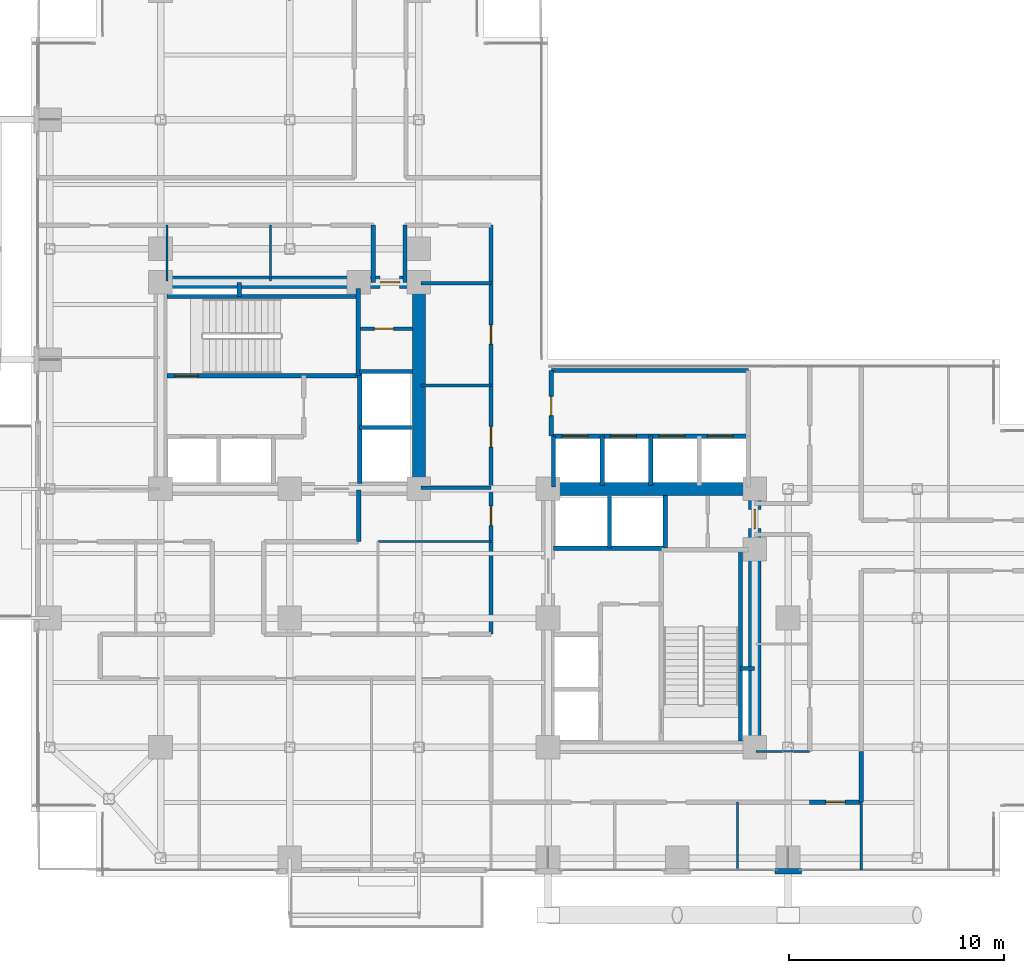
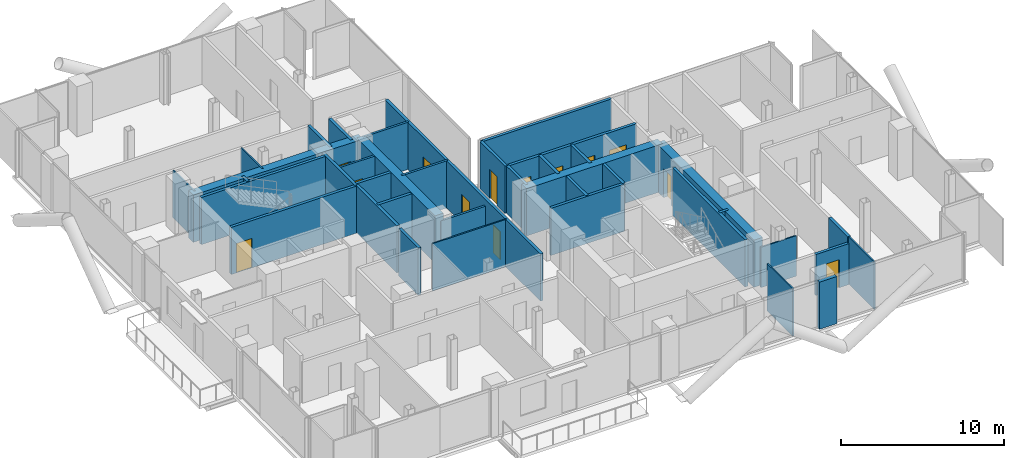
# One storey, part 20 of 24: 39 walls, 13 doors, 13 openings.
"""IFC4 building model written with IfcOpenShell, lengths in metres."""

from ifc_helpers import new_model, si_unit, direction, frame, frame_2d, origin, place, context, subcontext, project, spatial, rectangle, extrude, material, layer, layer_set, type_object, element, fill, save


model = new_model("IFC4")

# Units and contexts
model_context = context("Model", 3, precision=1e-05, world=origin(), true_north=direction((0.0, 1.0)))
body_context = subcontext(model_context, "Body", "Model", "MODEL_VIEW")
ifc_project = project(units=[si_unit("LENGTHUNIT", "METRE"), si_unit("AREAUNIT", "SQUARE_METRE"), si_unit("VOLUMEUNIT", "CUBIC_METRE"), si_unit("PLANEANGLEUNIT", "RADIAN"), si_unit("MASSUNIT", "GRAM", prefix="KILO"), si_unit("THERMODYNAMICTEMPERATUREUNIT", "KELVIN"), si_unit("POWERUNIT", "WATT")], contexts=[model_context])

# Site, building, storey
site_placement = place(None, origin())
site = spatial("IfcSite", under=ifc_project, at=site_placement, CompositionType="ELEMENT")
building_placement = place(site_placement, origin())
building = spatial("IfcBuilding", under=site, at=building_placement, Name="Svarakhadi Broadcast Tower", CompositionType="ELEMENT")
storey_placement = place(building_placement, frame((0.0, 0.0, 145.64990234375)))
storey = spatial("IfcBuildingStorey", under=building, at=storey_placement, Name="L35", CompositionType="ELEMENT", Elevation=145.64990234375)

# Wall
ifc_material_1 = material(Name="Double-Stud Acoustic Studio Partition STC-62", Category="gypsum")
ifc_layer_1 = layer(ifc_material_1, 0.199951171875)
ifc_layer_set_1 = layer_set([ifc_layer_1], Name="Double-Stud Acoustic Studio Partition STC-62")
wall_type_1 = type_object("IfcWallType", Name="Wall_Acoust_200", PredefinedType="PARTITIONING", material=ifc_layer_set_1)
wall_1_placement = place(storey_placement, frame((38.550048828125, 5.800048828125, 0.0), z_axis=(0.0, 0.0, 1.0), x_axis=(0.0, -1.0, 0.0)))
element("IfcWall", 1, at=wall_1_placement, inside=storey, type_object=wall_type_1, Name="L35 Zone 2/3 Corridor Wall", PredefinedType="PARTITIONING", context=body_context, shape_type="SweptSolid", body=[
    extrude(rectangle(XDim=2.35009765625, YDim=0.199951171875, at=frame_2d((1.175048828125, 0.0))), origin(), (0.0, 0.0, 1.0), 3.525146484375),
])

# Wall, opening, door
wall_2_placement = place(storey_placement, frame((38.550048828125, 3.449951171875, 0.0), z_axis=(0.0, 0.0, 1.0), x_axis=(-1.0, 0.0, 0.0)))
wall_2 = element("IfcWall", 2, at=wall_2_placement, inside=storey, type_object=wall_type_1, Name="L35 Zone 2/3 Corridor Wall", PredefinedType="PARTITIONING", context=body_context, shape_type="SweptSolid", body=[
    extrude(rectangle(XDim=2.400146484375, YDim=0.199951171875, at=frame_2d((1.2001953125, 0.0))), origin(), (0.0, 0.0, 1.0), 3.067138671875),
])
opening_1_placement = place(wall_2_placement, frame((0.75, 0.0, 0.0)))
opening_1 = element("IfcOpeningElement", 3, at=opening_1_placement, cuts=wall_2, Name="Opening D-14", PredefinedType="OPENING", context=body_context, shape_type="SweptSolid", body=[
    extrude(rectangle(XDim=0.89990234375, YDim=2.10009765625, at=frame_2d((0.449951171875, 1.050048828125))), frame((0.0, 0.10986328125, 0.0), z_axis=(0.0, -1.0, 0.0), x_axis=(1.0, 0.0, 0.0)), (0.0, 0.0, 1.0), 0.219970703125),
])
ifc_material_2 = material(Name="Solid-Core Teak Veneer Acoustic Timber Leaf", Category="wood")
door_type_1 = type_object("IfcDoorType", Name="Door_Int_D14", OperationType="SINGLE_SWING_LEFT", PredefinedType="DOOR", material=ifc_material_2)
door_1_placement = place(opening_1_placement, origin())
door_1 = element("IfcDoor", 4, at=door_1_placement, inside=storey, type_object=door_type_1, Name="L35 Artisanal Espresso Bar Door", OperationType="SINGLE_SWING_LEFT", OverallHeight=2.10009765625, OverallWidth=0.89990234375, PredefinedType="DOOR", context=body_context, shape_type="SweptSolid", body=[
    extrude(rectangle(XDim=0.89990234375, YDim=2.10009765625, at=frame_2d((0.449951171875, 1.050048828125))), frame((0.0, 0.02490234375, 0.0), z_axis=(0.0, -1.0, 0.0), x_axis=(1.0, 0.0, 0.0)), (0.0, 0.0, 1.0), 0.050048828125),
])
fill(opening_1, door_1)

# Wall
wall_3_placement = place(storey_placement, frame((15.199951171875, 17.949951171875, 0.0), z_axis=(0.0, 0.0, 1.0), x_axis=(0.0, -1.0, 0.0)))
element("IfcWall", 5, at=wall_3_placement, inside=storey, type_object=wall_type_1, Name="L35 Zone 2/3 Corridor Wall", PredefinedType="PARTITIONING", context=body_context, shape_type="SweptSolid", body=[
    extrude(rectangle(XDim=2.39990234375, YDim=0.199951171875, at=frame_2d((1.199951171875, 0.0))), origin(), (0.0, 0.0, 1.0), 3.525146484375),
])

# Wall, openings, doors
wall_4_placement = place(storey_placement, frame((21.35009765625, 11.25, 0.0), z_axis=(0.0, 0.0, 1.0), x_axis=(0.0, 1.0, 0.0)))
wall_4 = element("IfcWall", 6, at=wall_4_placement, inside=storey, type_object=wall_type_1, Name="L35 Zone 2/3 Corridor Wall", PredefinedType="PARTITIONING", context=body_context, shape_type="SweptSolid", body=[
    extrude(rectangle(XDim=19.0, YDim=0.199951171875, at=frame_2d((9.5, 0.0))), origin(), (0.0, 0.0, 1.0), 3.525146484375),
])
opening_2_placement = place(wall_4_placement, frame((8.699951171875, 0.0, 0.0)))
opening_2 = element("IfcOpeningElement", 7, at=opening_2_placement, cuts=wall_4, Name="Opening D-06", PredefinedType="OPENING", context=body_context, shape_type="SweptSolid", body=[
    extrude(rectangle(XDim=0.949951171875, YDim=2.14990234375, at=frame_2d((0.47509765625, 1.074951171875))), frame((0.0, 0.10986328125, 0.0), z_axis=(0.0, -1.0, 0.0), x_axis=(1.0, 0.0, 0.0)), (0.0, 0.0, 1.0), 0.219970703125),
])
opening_3_placement = place(wall_4_placement, frame((13.47509765625, 0.0, 0.0)))
opening_3 = element("IfcOpeningElement", 8, at=opening_3_placement, cuts=wall_4, Name="Opening D-13", PredefinedType="OPENING", context=body_context, shape_type="SweptSolid", body=[
    extrude(rectangle(XDim=0.89990234375, YDim=2.10009765625, at=frame_2d((0.449951171875, 1.050048828125))), frame((0.0, 0.10986328125, 0.0), z_axis=(0.0, -1.0, 0.0), x_axis=(1.0, 0.0, 0.0)), (0.0, 0.0, 1.0), 0.219970703125),
])
opening_4_placement = place(wall_4_placement, frame((5.050048828125, 0.0, 0.0)))
opening_4 = element("IfcOpeningElement", 9, at=opening_4_placement, cuts=wall_4, Name="Opening D-14", PredefinedType="OPENING", context=body_context, shape_type="SweptSolid", body=[
    extrude(rectangle(XDim=0.89990234375, YDim=2.10009765625, at=frame_2d((0.449951171875, 1.050048828125))), frame((0.0, 0.10986328125, 0.0), z_axis=(0.0, -1.0, 0.0), x_axis=(1.0, 0.0, 0.0)), (0.0, 0.0, 1.0), 0.219970703125),
])
door_type_2 = type_object("IfcDoorType", Name="Door_Closet_D13", OperationType="SINGLE_SWING_RIGHT", PredefinedType="DOOR", material=ifc_material_2)
door_2_placement = place(opening_3_placement, origin())
door_2 = element("IfcDoor", 10, at=door_2_placement, inside=storey, type_object=door_type_2, Name="L35 Accessible Guest Washroom WC Door", OperationType="SINGLE_SWING_RIGHT", OverallHeight=2.10009765625, OverallWidth=0.89990234375, PredefinedType="DOOR", context=body_context, shape_type="SweptSolid", body=[
    extrude(rectangle(XDim=0.89990234375, YDim=2.10009765625, at=frame_2d((0.449951171875, 1.050048828125))), frame((0.0, 0.02490234375, 0.0), z_axis=(0.0, -1.0, 0.0), x_axis=(1.0, 0.0, 0.0)), (0.0, 0.0, 1.0), 0.050048828125),
])
fill(opening_3, door_2)
door_3_placement = place(opening_4_placement, origin())
door_3 = element("IfcDoor", 11, at=door_3_placement, inside=storey, type_object=door_type_1, Name="L35 Executive Review Pod Door", OperationType="SINGLE_SWING_LEFT", OverallHeight=2.10009765625, OverallWidth=0.89990234375, PredefinedType="DOOR", context=body_context, shape_type="SweptSolid", body=[
    extrude(rectangle(XDim=0.89990234375, YDim=2.10009765625, at=frame_2d((0.449951171875, 1.050048828125))), frame((0.0, 0.02490234375, 0.0), z_axis=(0.0, -1.0, 0.0), x_axis=(1.0, 0.0, 0.0)), (0.0, 0.0, 1.0), 0.050048828125),
])
fill(opening_4, door_3)
door_type_3 = type_object("IfcDoorType", Name="Door_Office_D06", OperationType="SINGLE_SWING_LEFT", PredefinedType="DOOR", material=ifc_material_2)
door_4_placement = place(opening_2_placement, origin())
door_4 = element("IfcDoor", 12, at=door_4_placement, inside=storey, type_object=door_type_3, Name="L35 Broadcast Editorial Review Office Door", OperationType="SINGLE_SWING_LEFT", OverallHeight=2.14990234375, OverallWidth=0.949951171875, PredefinedType="DOOR", context=body_context, shape_type="SweptSolid", body=[
    extrude(rectangle(XDim=0.949951171875, YDim=2.14990234375, at=frame_2d((0.47509765625, 1.074951171875))), frame((0.0, 0.02490234375, 0.0), z_axis=(0.0, -1.0, 0.0), x_axis=(1.0, 0.0, 0.0)), (0.0, 0.0, 1.0), 0.050048828125),
])
fill(opening_2, door_4)

# Walls
for number, where, z_axis, x_axis, name in (
    (13, (17.35009765625, 30.25, 0.0), (0.0, 0.0, 1.0), (0.0, -1.0, 0.0), "L35 Zone 2/3 Corridor Wall"),
    (14, (15.8798828125, 27.580078125, 0.0), (0.0, 0.0, 1.0), (0.0, 1.0, 0.0), "L35 Zone 2/3 Corridor Wall"),
):
    element("IfcWall", number, at=place(storey_placement, frame(where, z_axis=z_axis, x_axis=x_axis)), inside=storey, type_object=wall_type_1, Name=name, PredefinedType="PARTITIONING", context=body_context, shape_type="SweptSolid", body=[
        extrude(rectangle(XDim=2.669921875, YDim=0.199951171875, at=frame_2d((1.3349609375, 0.0))), origin(), (0.0, 0.0, 1.0), 3.525146484375),
    ])
ifc_material_3 = material(Name="Concrete C40/50 (IS 456 M50)", Category="concrete")
ifc_layer_2 = layer(ifc_material_3, 0.239990234375)
ifc_layer_set_2 = layer_set([ifc_layer_2], Name="Concrete C40/50 (IS 456 M50)")
wall_type_2 = type_object("IfcWallType", Name="Wall_Ext_240", PredefinedType="SOLIDWALL", material=ifc_layer_set_2)
wall_5_placement = place(storey_placement, frame((35.764892578125, 0.239990234375, 0.0), z_axis=(0.0, 0.0, 1.0), x_axis=(-1.0, 0.0, 0.0)))
element("IfcWall", 15, at=wall_5_placement, inside=storey, type_object=wall_type_2, Name="L35 Perimeter Bronze Spandrel Closure Wall 07", PredefinedType="SOLIDWALL", context=body_context, shape_type="SweptSolid", body=[
    extrude(rectangle(XDim=1.22998046875, YDim=0.239990234375, at=frame_2d((0.614990234375, 0.0))), origin(), (0.0, 0.0, 1.0), 3.525146484375),
])
ifc_layer_3 = layer(ifc_material_3, 0.199951171875)
ifc_layer_set_3 = layer_set([ifc_layer_3], Name="Concrete C40/50 (IS 456 M50)")
wall_type_3 = type_object("IfcWallType", Name="Wall_Fire_200", PredefinedType="SOLIDWALL", material=ifc_layer_set_3)
for number, where, z_axis, x_axis, name in (
    (16, (9.659912109375, 26.93994140625, 0.0), (0.0, 0.0, 1.0), (0.0, 1.0, 0.0), "L35 Wet Riser Shaft East Wall"),
    (17, (32.93994140625, 9.659912109375, 0.0), (0.0, 0.0, 1.0), (1.0, 0.0, 0.0), "L35 HV Busduct Riser Shaft North Wall"),
):
    element("IfcWall", number, at=place(storey_placement, frame(where, z_axis=z_axis, x_axis=x_axis)), inside=storey, type_object=wall_type_3, Name=name, PredefinedType="SOLIDWALL", context=body_context, shape_type="SweptSolid", body=[
        extrude(rectangle(XDim=0.64013671875, YDim=0.199951171875, at=frame_2d((0.320068359375, 0.0))), origin(), (0.0, 0.0, 1.0), 3.525146484375),
    ])
ifc_material_4 = material(Name="Fire-Rated Moisture-Resistant Gypsum Board Partition", Category="gypsum")
ifc_layer_4 = layer(ifc_material_4, 0.10009765625)
ifc_layer_set_4 = layer_set([ifc_layer_4], Name="Fire-Rated Moisture-Resistant Gypsum Board Partition")
wall_type_4 = type_object("IfcWallType", Name="Wall_Part_100", PredefinedType="PARTITIONING", material=ifc_layer_set_4)
wall_6_placement = place(storey_placement, frame((16.10009765625, 15.550048828125, 0.0), z_axis=(0.0, 0.0, 1.0), x_axis=(1.0, 0.0, 0.0)))
element("IfcWall", 18, at=wall_6_placement, inside=storey, type_object=wall_type_4, Name="L35 Accessible Floor Washroom WC Wall", PredefinedType="PARTITIONING", context=body_context, shape_type="SweptSolid", body=[
    extrude(rectangle(XDim=5.25, YDim=0.10009765625, at=frame_2d((2.625, 0.0))), origin(), (0.0, 0.0, 1.0), 3.525146484375),
])
for number, where, z_axis, x_axis, name in (
    (19, (32.800048828125, 0.300048828125, 0.0), (0.0, 0.0, 1.0), (0.0, 1.0, 0.0), "L35 Client Preview Briefing Room Wall"),
    (20, (38.550048828125, 0.300048828125, 0.0), (0.0, 0.0, 1.0), (0.0, 1.0, 0.0), "L35 Artisanal Espresso Bar Wall"),
):
    element("IfcWall", number, at=place(storey_placement, frame(where, z_axis=z_axis, x_axis=x_axis)), inside=storey, type_object=wall_type_4, Name=name, PredefinedType="PARTITIONING", context=body_context, shape_type="SweptSolid", body=[
        extrude(rectangle(XDim=3.14990234375, YDim=0.10009765625, at=frame_2d((1.574951171875, 0.0))), origin(), (0.0, 0.0, 1.0), 3.525146484375),
    ])
for number, where, z_axis, x_axis, name in (
    (21, (6.300048828125, 27.64990234375, 0.0), (0.0, 0.0, 1.0), (0.0, 1.0, 0.0), "L35 Acoustic Dubbing Booth Wall"),
    (22, (11.10009765625, 27.64990234375, 0.0), (0.0, 0.0, 1.0), (0.0, 1.0, 0.0), "L35 Acoustic Dubbing Booth Wall"),
):
    element("IfcWall", number, at=place(storey_placement, frame(where, z_axis=z_axis, x_axis=x_axis)), inside=storey, type_object=wall_type_4, Name=name, PredefinedType="PARTITIONING", context=body_context, shape_type="SweptSolid", body=[
        extrude(rectangle(XDim=2.60009765625, YDim=0.10009765625, at=frame_2d((1.300048828125, 0.0))), origin(), (0.0, 0.0, 1.0), 3.525146484375),
    ])
wall_7_placement = place(storey_placement, frame((33.64990234375, 5.800048828125, 0.0), z_axis=(0.0, 0.0, 1.0), x_axis=(1.0, 0.0, 0.0)))
element("IfcWall", 23, at=wall_7_placement, inside=storey, type_object=wall_type_4, Name="L35 Media Playout Monitoring Office Wall", PredefinedType="PARTITIONING", context=body_context, shape_type="SweptSolid", body=[
    extrude(rectangle(XDim=2.5, YDim=0.10009765625, at=frame_2d((1.25, 0.0))), origin(), (0.0, 0.0, 1.0), 3.01708984375),
])

# Wall, opening, door
ifc_material_5 = material(Name="Autoclaved Aerated Concrete Blockwork 150 mm", Category="masonry")
ifc_layer_5 = layer(ifc_material_5, 0.14990234375)
ifc_layer_set_5 = layer_set([ifc_layer_5], Name="Autoclaved Aerated Concrete Blockwork 150 mm")
wall_type_5 = type_object("IfcWallType", Name="Wall_Part_150", PredefinedType="PARTITIONING", material=ifc_layer_set_5)
wall_8_placement = place(storey_placement, frame((15.280029296875, 25.43994140625, 0.0), z_axis=(0.0, 0.0, 1.0), x_axis=(1.0, 0.0, 0.0)))
wall_8 = element("IfcWall", 24, at=wall_8_placement, inside=storey, type_object=wall_type_5, Name="L35 West Core Dual Store Wall", PredefinedType="PARTITIONING", context=body_context, shape_type="SweptSolid", body=[
    extrude(rectangle(XDim=2.419921875, YDim=0.14990234375, at=frame_2d((1.2099609375, 0.0))), origin(), (0.0, 0.0, 1.0), 3.525146484375),
])
opening_5_placement = place(wall_8_placement, frame((0.64990234375, 0.0, 0.0)))
opening_5 = element("IfcOpeningElement", 25, at=opening_5_placement, cuts=wall_8, Name="Opening D-03", PredefinedType="OPENING", context=body_context, shape_type="SweptSolid", body=[
    extrude(rectangle(XDim=0.89990234375, YDim=2.14990234375, at=frame_2d((0.449951171875, 1.074951171875))), frame((0.0, 0.0849609375, 0.0), z_axis=(0.0, -1.0, 0.0), x_axis=(1.0, 0.0, 0.0)), (0.0, 0.0, 1.0), 0.169921875),
])
ifc_material_6 = material(Name="Galvanised Powder-Coated Fire-Rated Steel Leaf", Category="steel")
door_type_4 = type_object("IfcDoorType", Name="Door_Fire_D03", OperationType="SINGLE_SWING_LEFT", PredefinedType="DOOR", material=ifc_material_6)
door_5_placement = place(opening_5_placement, origin())
door_5 = element("IfcDoor", 26, at=door_5_placement, inside=storey, type_object=door_type_4, Name="L35 West Core Store B Door", OperationType="SINGLE_SWING_LEFT", OverallHeight=2.14990234375, OverallWidth=0.89990234375, PredefinedType="DOOR", context=body_context, shape_type="SweptSolid", body=[
    extrude(rectangle(XDim=0.89990234375, YDim=2.14990234375, at=frame_2d((0.449951171875, 1.074951171875))), frame((0.0, 0.02490234375, 0.0), z_axis=(0.0, -1.0, 0.0), x_axis=(1.0, 0.0, 0.0)), (0.0, 0.0, 1.0), 0.050048828125),
])
fill(opening_5, door_5)

# Walls
wall_9_placement = place(storey_placement, frame((18.10009765625, 18.050048828125, 0.0), z_axis=(0.0, 0.0, 1.0), x_axis=(1.0, 0.0, 0.0)))
element("IfcWall", 27, at=wall_9_placement, inside=storey, type_object=wall_type_5, Name="L35 Broadcast Editorial Review Office Wall", PredefinedType="PARTITIONING", context=body_context, shape_type="SweptSolid", body=[
    extrude(rectangle(XDim=3.25, YDim=0.14990234375, at=frame_2d((1.625, 0.0))), origin(), (0.0, 0.0, 1.0), 3.01708984375),
])
for number, where, z_axis, x_axis, name in (
    (28, (18.10009765625, 22.800048828125, 0.0), (0.0, 0.0, 1.0), (1.0, 0.0, 0.0), "L35 Broadcast Editorial Review Office Wall"),
    (29, (18.10009765625, 27.550048828125, 0.0), (0.0, 0.0, 1.0), (1.0, 0.0, 0.0), "L35 Accessible Guest Washroom WC Wall"),
):
    element("IfcWall", number, at=place(storey_placement, frame(where, z_axis=z_axis, x_axis=x_axis)), inside=storey, type_object=wall_type_5, Name=name, PredefinedType="PARTITIONING", context=body_context, shape_type="SweptSolid", body=[
        extrude(rectangle(XDim=3.25, YDim=0.14990234375, at=frame_2d((1.625, 0.0))), origin(), (0.0, 0.0, 1.0), 3.525146484375),
    ])

# Wall, opening, door
ifc_material_7 = material(Name="Concrete C50/60 (IS 456 M60)", Category="concrete")
ifc_layer_6 = layer(ifc_material_7, 0.199951171875)
ifc_layer_set_6 = layer_set([ifc_layer_6], Name="Concrete C50/60 (IS 456 M60)")
wall_type_6 = type_object("IfcWallType", Name="Wall_Shear_200", PredefinedType="SHEAR", material=ifc_layer_set_6)
wall_10_placement = place(storey_placement, frame((6.300048828125, 23.260009765625, 0.0), z_axis=(0.0, 0.0, 1.0), x_axis=(1.0, 0.0, 0.0)))
wall_10 = element("IfcWall", 30, at=wall_10_placement, inside=storey, type_object=wall_type_6, Name="L35 Stair ST-01 South RC Shaft Wall", PredefinedType="SHEAR", context=body_context, shape_type="SweptSolid", body=[
    extrude(rectangle(XDim=8.8798828125, YDim=0.199951171875, at=frame_2d((4.43994140625, 0.0))), origin(), (0.0, 0.0, 1.0), 3.525146484375),
])
opening_6_placement = place(wall_10_placement, frame((0.35009765625, 0.0, 0.0)))
opening_6 = element("IfcOpeningElement", 31, at=opening_6_placement, cuts=wall_10, Name="Opening D-01", PredefinedType="OPENING", context=body_context, shape_type="SweptSolid", body=[
    extrude(rectangle(XDim=1.10009765625, YDim=2.199951171875, at=frame_2d((0.550048828125, 1.10009765625))), frame((0.0, 0.10986328125, 0.0), z_axis=(0.0, -1.0, 0.0), x_axis=(1.0, 0.0, 0.0)), (0.0, 0.0, 1.0), 0.219970703125),
])
door_type_5 = type_object("IfcDoorType", Name="Door_Stair_D01", OperationType="SINGLE_SWING_LEFT", PredefinedType="DOOR", material=ifc_material_6)
door_6_placement = place(opening_6_placement, origin())
door_6 = element("IfcDoor", 32, at=door_6_placement, inside=storey, type_object=door_type_5, Name="L35 Protected Exit Stair ST-01 Fire Door", OperationType="SINGLE_SWING_LEFT", OverallHeight=2.199951171875, OverallWidth=1.10009765625, PredefinedType="DOOR", context=body_context, shape_type="SweptSolid", body=[
    extrude(rectangle(XDim=1.10009765625, YDim=2.199951171875, at=frame_2d((0.550048828125, 1.10009765625))), frame((0.0, 0.02490234375, 0.0), z_axis=(0.0, -1.0, 0.0), x_axis=(1.0, 0.0, 0.0)), (0.0, 0.0, 1.0), 0.050048828125),
])
fill(opening_6, door_6)

# Walls
wall_11_placement = place(storey_placement, frame((6.300048828125, 26.93994140625, 0.0), z_axis=(0.0, 0.0, 1.0), x_axis=(1.0, 0.0, 0.0)))
element("IfcWall", 33, at=wall_11_placement, inside=storey, type_object=wall_type_6, Name="L35 Stair ST-01 North RC Shaft Wall", PredefinedType="SHEAR", context=body_context, shape_type="SweptSolid", body=[
    extrude(rectangle(XDim=8.8798828125, YDim=0.199951171875, at=frame_2d((4.43994140625, 0.0))), origin(), (0.0, 0.0, 1.0), 3.525146484375),
])
wall_12_placement = place(storey_placement, frame((15.179931640625, 23.260009765625, 0.0), z_axis=(0.0, 0.0, 1.0), x_axis=(0.0, 1.0, 0.0)))
element("IfcWall", 34, at=wall_12_placement, inside=storey, type_object=wall_type_6, Name="L35 Stair ST-01 East RC Shaft Wall", PredefinedType="SHEAR", context=body_context, shape_type="SweptSolid", body=[
    extrude(rectangle(XDim=4.0400390625, YDim=0.199951171875, at=frame_2d((2.02001953125, 0.0))), origin(), (0.0, 0.0, 1.0), 3.525146484375),
])
wall_13_placement = place(storey_placement, frame((32.93994140625, 6.300048828125, 0.0), z_axis=(0.0, 0.0, 1.0), x_axis=(0.0, 1.0, 0.0)))
element("IfcWall", 35, at=wall_13_placement, inside=storey, type_object=wall_type_6, Name="L35 Stair ST-02 East RC Shaft Wall", PredefinedType="SHEAR", context=body_context, shape_type="SweptSolid", body=[
    extrude(rectangle(XDim=8.8798828125, YDim=0.199951171875, at=frame_2d((4.43994140625, 0.0))), origin(), (0.0, 0.0, 1.0), 3.525146484375),
])
wall_14_placement = place(storey_placement, frame((15.25, 18.25, 0.0), z_axis=(0.0, 0.0, 1.0), x_axis=(0.0, 1.0, 0.0)))
element("IfcWall", 36, at=wall_14_placement, inside=storey, type_object=wall_type_6, Name="L35 High-Rise Lift LF-13/14 West Shaft Wall", PredefinedType="SHEAR", context=body_context, shape_type="SweptSolid", body=[
    extrude(rectangle(XDim=5.199951171875, YDim=0.199951171875, at=frame_2d((2.60009765625, 0.0))), origin(), (0.0, 0.0, 1.0), 3.525146484375),
])
wall_15_placement = place(storey_placement, frame((15.25, 20.85009765625, 0.0), z_axis=(0.0, 0.0, 1.0), x_axis=(1.0, 0.0, 0.0)))
element("IfcWall", 37, at=wall_15_placement, inside=storey, type_object=wall_type_6, Name="L35 High-Rise Lift LF-13/14 Divider", PredefinedType="SHEAR", context=body_context, shape_type="SweptSolid", body=[
    extrude(rectangle(XDim=2.39990234375, YDim=0.199951171875, at=frame_2d((1.199951171875, 0.0))), origin(), (0.0, 0.0, 1.0), 3.525146484375),
])
wall_16_placement = place(storey_placement, frame((15.25, 23.449951171875, 0.0), z_axis=(0.0, 0.0, 1.0), x_axis=(1.0, 0.0, 0.0)))
element("IfcWall", 38, at=wall_16_placement, inside=storey, type_object=wall_type_6, Name="L35 High-Rise Lift LF-13/14 North Wall", PredefinedType="SHEAR", context=body_context, shape_type="SweptSolid", body=[
    extrude(rectangle(XDim=2.449951171875, YDim=0.199951171875, at=frame_2d((1.22509765625, 0.0))), origin(), (0.0, 0.0, 1.0), 3.525146484375),
])
wall_17_placement = place(storey_placement, frame((24.25, 15.25, 0.0), z_axis=(0.0, 0.0, 1.0), x_axis=(1.0, 0.0, 0.0)))
element("IfcWall", 39, at=wall_17_placement, inside=storey, type_object=wall_type_6, Name="L35 High-Rise Lift LF-15/16 South Shaft Wall", PredefinedType="SHEAR", context=body_context, shape_type="SweptSolid", body=[
    extrude(rectangle(XDim=5.199951171875, YDim=0.199951171875, at=frame_2d((2.60009765625, 0.0))), origin(), (0.0, 0.0, 1.0), 3.525146484375),
])
wall_18_placement = place(storey_placement, frame((26.85009765625, 15.25, 0.0), z_axis=(0.0, 0.0, 1.0), x_axis=(0.0, 1.0, 0.0)))
element("IfcWall", 40, at=wall_18_placement, inside=storey, type_object=wall_type_6, Name="L35 High-Rise Lift LF-15/16 Divider", PredefinedType="SHEAR", context=body_context, shape_type="SweptSolid", body=[
    extrude(rectangle(XDim=2.39990234375, YDim=0.199951171875, at=frame_2d((1.199951171875, 0.0))), origin(), (0.0, 0.0, 1.0), 3.525146484375),
])
wall_19_placement = place(storey_placement, frame((29.449951171875, 15.25, 0.0), z_axis=(0.0, 0.0, 1.0), x_axis=(0.0, 1.0, 0.0)))
element("IfcWall", 41, at=wall_19_placement, inside=storey, type_object=wall_type_6, Name="L35 High-Rise Lift LF-15/16 East Wall", PredefinedType="SHEAR", context=body_context, shape_type="SweptSolid", body=[
    extrude(rectangle(XDim=2.449951171875, YDim=0.199951171875, at=frame_2d((1.22509765625, 0.0))), origin(), (0.0, 0.0, 1.0), 3.525146484375),
])
wall_20_placement = place(storey_placement, frame((24.25, 18.10009765625, 0.0), z_axis=(0.0, 0.0, 1.0), x_axis=(0.0, 1.0, 0.0)))
element("IfcWall", 42, at=wall_20_placement, inside=storey, type_object=wall_type_6, Name="L35 Bank B West Shaft Wall", PredefinedType="SHEAR", context=body_context, shape_type="SweptSolid", body=[
    extrude(rectangle(XDim=2.349853515625, YDim=0.199951171875, at=frame_2d((1.1748046875, 0.0))), origin(), (0.0, 0.0, 1.0), 3.525146484375),
])

# Wall, openings, doors
wall_21_placement = place(storey_placement, frame((24.25, 20.449951171875, 0.0), z_axis=(0.0, 0.0, 1.0), x_axis=(1.0, 0.0, 0.0)))
wall_21 = element("IfcWall", 43, at=wall_21_placement, inside=storey, type_object=wall_type_6, Name="L35 Bank B North Landing Wall", PredefinedType="SHEAR", context=body_context, shape_type="SweptSolid", body=[
    extrude(rectangle(XDim=9.050048828125, YDim=0.199951171875, at=frame_2d((4.52490234375, 0.0))), origin(), (0.0, 0.0, 1.0), 3.525146484375),
])
opening_7_placement = place(wall_21_placement, frame((0.39990234375, 0.0, 0.0)))
opening_7 = element("IfcOpeningElement", 44, at=opening_7_placement, cuts=wall_21, Name="Opening LD-02", PredefinedType="OPENING", context=body_context, shape_type="SweptSolid", body=[
    extrude(rectangle(XDim=1.199951171875, YDim=2.199951171875, at=frame_2d((0.60009765625, 1.10009765625))), frame((0.0, 0.10986328125, 0.0), z_axis=(0.0, -1.0, 0.0), x_axis=(1.0, 0.0, 0.0)), (0.0, 0.0, 1.0), 0.219970703125),
])
opening_8_placement = place(wall_21_placement, frame((2.64990234375, 0.0, 0.0)))
opening_8 = element("IfcOpeningElement", 45, at=opening_8_placement, cuts=wall_21, Name="Opening LD-02", PredefinedType="OPENING", context=body_context, shape_type="SweptSolid", body=[
    extrude(rectangle(XDim=1.199951171875, YDim=2.199951171875, at=frame_2d((0.60009765625, 1.10009765625))), frame((0.0, 0.10986328125, 0.0), z_axis=(0.0, -1.0, 0.0), x_axis=(1.0, 0.0, 0.0)), (0.0, 0.0, 1.0), 0.219970703125),
])
opening_9_placement = place(wall_21_placement, frame((4.89990234375, 0.0, 0.0)))
opening_9 = element("IfcOpeningElement", 46, at=opening_9_placement, cuts=wall_21, Name="Opening LD-02", PredefinedType="OPENING", context=body_context, shape_type="SweptSolid", body=[
    extrude(rectangle(XDim=1.199951171875, YDim=2.199951171875, at=frame_2d((0.60009765625, 1.10009765625))), frame((0.0, 0.10986328125, 0.0), z_axis=(0.0, -1.0, 0.0), x_axis=(1.0, 0.0, 0.0)), (0.0, 0.0, 1.0), 0.219970703125),
])
opening_10_placement = place(wall_21_placement, frame((7.14990234375, 0.0, 0.0)))
opening_10 = element("IfcOpeningElement", 47, at=opening_10_placement, cuts=wall_21, Name="Opening LD-02", PredefinedType="OPENING", context=body_context, shape_type="SweptSolid", body=[
    extrude(rectangle(XDim=1.199951171875, YDim=2.199951171875, at=frame_2d((0.60009765625, 1.10009765625))), frame((0.0, 0.10986328125, 0.0), z_axis=(0.0, -1.0, 0.0), x_axis=(1.0, 0.0, 0.0)), (0.0, 0.0, 1.0), 0.219970703125),
])
door_type_6 = type_object("IfcDoorType", Name="Door_Lift_LD02", OperationType="SLIDING_TO_RIGHT", PredefinedType="DOOR", material=ifc_material_6)
door_7_placement = place(opening_7_placement, origin())
door_7 = element("IfcDoor", 48, at=door_7_placement, inside=storey, type_object=door_type_6, Name="L35 Mid-Rise Lift LF-09 Landing Door", OperationType="SLIDING_TO_RIGHT", OverallHeight=2.199951171875, OverallWidth=1.199951171875, PredefinedType="DOOR", context=body_context, shape_type="SweptSolid", body=[
    extrude(rectangle(XDim=1.199951171875, YDim=2.199951171875, at=frame_2d((0.60009765625, 1.10009765625))), frame((0.0, 0.02490234375, 0.0), z_axis=(0.0, -1.0, 0.0), x_axis=(1.0, 0.0, 0.0)), (0.0, 0.0, 1.0), 0.050048828125),
])
fill(opening_7, door_7)
door_8_placement = place(opening_8_placement, origin())
door_8 = element("IfcDoor", 49, at=door_8_placement, inside=storey, type_object=door_type_6, Name="L35 Mid-Rise Lift LF-10 Landing Door", OperationType="SLIDING_TO_RIGHT", OverallHeight=2.199951171875, OverallWidth=1.199951171875, PredefinedType="DOOR", context=body_context, shape_type="SweptSolid", body=[
    extrude(rectangle(XDim=1.199951171875, YDim=2.199951171875, at=frame_2d((0.60009765625, 1.10009765625))), frame((0.0, 0.02490234375, 0.0), z_axis=(0.0, -1.0, 0.0), x_axis=(1.0, 0.0, 0.0)), (0.0, 0.0, 1.0), 0.050048828125),
])
fill(opening_8, door_8)
door_9_placement = place(opening_9_placement, origin())
door_9 = element("IfcDoor", 50, at=door_9_placement, inside=storey, type_object=door_type_6, Name="L35 Mid-Rise Lift LF-11 Landing Door", OperationType="SLIDING_TO_RIGHT", OverallHeight=2.199951171875, OverallWidth=1.199951171875, PredefinedType="DOOR", context=body_context, shape_type="SweptSolid", body=[
    extrude(rectangle(XDim=1.199951171875, YDim=2.199951171875, at=frame_2d((0.60009765625, 1.10009765625))), frame((0.0, 0.02490234375, 0.0), z_axis=(0.0, -1.0, 0.0), x_axis=(1.0, 0.0, 0.0)), (0.0, 0.0, 1.0), 0.050048828125),
])
fill(opening_9, door_9)
door_10_placement = place(opening_10_placement, origin())
door_10 = element("IfcDoor", 51, at=door_10_placement, inside=storey, type_object=door_type_6, Name="L35 Mid-Rise Lift LF-12 Landing Door", OperationType="SLIDING_TO_RIGHT", OverallHeight=2.199951171875, OverallWidth=1.199951171875, PredefinedType="DOOR", context=body_context, shape_type="SweptSolid", body=[
    extrude(rectangle(XDim=1.199951171875, YDim=2.199951171875, at=frame_2d((0.60009765625, 1.10009765625))), frame((0.0, 0.02490234375, 0.0), z_axis=(0.0, -1.0, 0.0), x_axis=(1.0, 0.0, 0.0)), (0.0, 0.0, 1.0), 0.050048828125),
])
fill(opening_10, door_10)

# Walls
for number, where, z_axis, x_axis, name in (
    (52, (26.52001953125, 18.14990234375, 0.0), (0.0, 0.0, 1.0), (0.0, 1.0, 0.0), "L35 Bank B Divider"),
    (53, (28.77001953125, 18.14990234375, 0.0), (0.0, 0.0, 1.0), (0.0, 1.0, 0.0), "L35 Bank B Divider"),
):
    element("IfcWall", number, at=place(storey_placement, frame(where, z_axis=z_axis, x_axis=x_axis)), inside=storey, type_object=wall_type_6, Name=name, PredefinedType="SHEAR", context=body_context, shape_type="SweptSolid", body=[
        extrude(rectangle(XDim=2.300048828125, YDim=0.199951171875, at=frame_2d((1.14990234375, 0.0))), origin(), (0.0, 0.0, 1.0), 3.525146484375),
    ])
wall_22_placement = place(storey_placement, frame((24.14990234375, 23.5, 0.0), z_axis=(0.0, 0.0, 1.0), x_axis=(1.0, 0.0, 0.0)))
element("IfcWall", 54, at=wall_22_placement, inside=storey, type_object=wall_type_6, Name="L35 Bank B Lift Hall North Wall", PredefinedType="SHEAR", context=body_context, shape_type="SweptSolid", body=[
    extrude(rectangle(XDim=9.150146484375, YDim=0.199951171875, at=frame_2d((4.5751953125, 0.0))), origin(), (0.0, 0.0, 1.0), 3.525146484375),
])

# Wall, opening, door
wall_23_placement = place(storey_placement, frame((24.14990234375, 20.449951171875, 0.0), z_axis=(0.0, 0.0, 1.0), x_axis=(0.0, 1.0, 0.0)))
wall_23 = element("IfcWall", 55, at=wall_23_placement, inside=storey, type_object=wall_type_6, Name="L35 Bank B Lift Hall West Wall", PredefinedType="SHEAR", context=body_context, shape_type="SweptSolid", body=[
    extrude(rectangle(XDim=3.050048828125, YDim=0.199951171875, at=frame_2d((1.52490234375, 0.0))), origin(), (0.0, 0.0, 1.0), 3.525146484375),
])
opening_11_placement = place(wall_23_placement, frame((0.949951171875, 0.0, 0.0)))
opening_11 = element("IfcOpeningElement", 56, at=opening_11_placement, cuts=wall_23, Name="Opening D-03", PredefinedType="OPENING", context=body_context, shape_type="SweptSolid", body=[
    extrude(rectangle(XDim=0.89990234375, YDim=2.14990234375, at=frame_2d((0.449951171875, 1.074951171875))), frame((0.0, 0.10986328125, 0.0), z_axis=(0.0, -1.0, 0.0), x_axis=(1.0, 0.0, 0.0)), (0.0, 0.0, 1.0), 0.219970703125),
])
door_11_placement = place(opening_11_placement, origin())
door_11 = element("IfcDoor", 57, at=door_11_placement, inside=storey, type_object=door_type_4, Name="L35 Mid-Rise Lift Hall West Corridor Door", OperationType="SINGLE_SWING_LEFT", OverallHeight=2.14990234375, OverallWidth=0.89990234375, PredefinedType="DOOR", context=body_context, shape_type="SweptSolid", body=[
    extrude(rectangle(XDim=0.89990234375, YDim=2.14990234375, at=frame_2d((0.449951171875, 1.074951171875))), frame((0.0, 0.02490234375, 0.0), z_axis=(0.0, -1.0, 0.0), x_axis=(1.0, 0.0, 0.0)), (0.0, 0.0, 1.0), 0.050048828125),
])
fill(opening_11, door_11)

ifc_material_8 = material(Name="Concrete C60/75 (IS 456 M70)", Category="concrete")
ifc_layer_7 = layer(ifc_material_8, 0.60009765625)
ifc_layer_set_7 = layer_set([ifc_layer_7], Name="Concrete C60/75 (IS 456 M70)")
wall_type_7 = type_object("IfcWallType", Name="Wall_Shear_600", PredefinedType="SHEAR", material=ifc_layer_set_7)
wall_24_placement = place(storey_placement, frame((6.0, 27.60009765625, 0.0), z_axis=(0.0, 0.0, 1.0), x_axis=(1.0, 0.0, 0.0)))
wall_24 = element("IfcWall", 58, at=wall_24_placement, inside=storey, type_object=wall_type_7, Name="L35 West Core North Shear Wall", PredefinedType="SHEAR", context=body_context, shape_type="SweptSolid", body=[
    extrude(rectangle(XDim=12.0, YDim=0.60009765625, at=frame_2d((6.0, 0.0))), origin(), (0.0, 0.0, 1.0), 3.525146484375),
])
opening_12_placement = place(wall_24_placement, frame((10.199951171875, 0.0, 0.0)))
opening_12 = element("IfcOpeningElement", 59, at=opening_12_placement, cuts=wall_24, Name="Opening D-04", PredefinedType="OPENING", context=body_context, shape_type="SweptSolid", body=[
    extrude(rectangle(XDim=0.89990234375, YDim=2.14990234375, at=frame_2d((0.449951171875, 1.074951171875))), frame((0.0, 0.31005859375, 0.0), z_axis=(0.0, -1.0, 0.0), x_axis=(1.0, 0.0, 0.0)), (0.0, 0.0, 1.0), 0.6201171875),
])
door_type_7 = type_object("IfcDoorType", Name="Door_Fire_D04", OperationType="SINGLE_SWING_RIGHT", PredefinedType="DOOR", material=ifc_material_6)
door_12_placement = place(opening_12_placement, origin())
door_12 = element("IfcDoor", 60, at=door_12_placement, inside=storey, type_object=door_type_7, Name="L35 West Core Store A Door", OperationType="SINGLE_SWING_RIGHT", OverallHeight=2.14990234375, OverallWidth=0.89990234375, PredefinedType="DOOR", context=body_context, shape_type="SweptSolid", body=[
    extrude(rectangle(XDim=0.89990234375, YDim=2.14990234375, at=frame_2d((0.449951171875, 1.074951171875))), frame((0.0, 0.02490234375, 0.0), z_axis=(0.0, -1.0, 0.0), x_axis=(1.0, 0.0, 0.0)), (0.0, 0.0, 1.0), 0.050048828125),
])
fill(opening_12, door_12)

# Walls
for number, where, z_axis, x_axis, name in (
    (61, (18.0, 18.0, 0.0), (0.0, 0.0, 1.0), (0.0, 1.0, 0.0), "L35 West Core East Shear Wall"),
    (62, (24.0, 18.0, 0.0), (0.0, 0.0, 1.0), (1.0, 0.0, 0.0), "L35 East Core North Shear Wall"),
):
    element("IfcWall", number, at=place(storey_placement, frame(where, z_axis=z_axis, x_axis=x_axis)), inside=storey, type_object=wall_type_7, Name=name, PredefinedType="SHEAR", context=body_context, shape_type="SweptSolid", body=[
        extrude(rectangle(XDim=9.60009765625, YDim=0.60009765625, at=frame_2d((4.800048828125, 0.0))), origin(), (0.0, 0.0, 1.0), 3.525146484375),
    ])

# Wall, opening, door
wall_25_placement = place(storey_placement, frame((33.60009765625, 6.0, 0.0), z_axis=(0.0, 0.0, 1.0), x_axis=(0.0, 1.0, 0.0)))
wall_25 = element("IfcWall", 63, at=wall_25_placement, inside=storey, type_object=wall_type_7, Name="L35 East Core East Shear Wall", PredefinedType="SHEAR", context=body_context, shape_type="SweptSolid", body=[
    extrude(rectangle(XDim=12.0, YDim=0.60009765625, at=frame_2d((6.0, 0.0))), origin(), (0.0, 0.0, 1.0), 3.525146484375),
])
opening_13_placement = place(wall_25_placement, frame((10.14990234375, 0.0, 0.0)))
opening_13 = element("IfcOpeningElement", 64, at=opening_13_placement, cuts=wall_25, Name="Opening D-04", PredefinedType="OPENING", context=body_context, shape_type="SweptSolid", body=[
    extrude(rectangle(XDim=0.89990234375, YDim=2.14990234375, at=frame_2d((0.449951171875, 1.074951171875))), frame((0.0, 0.31005859375, 0.0), z_axis=(0.0, -1.0, 0.0), x_axis=(1.0, 0.0, 0.0)), (0.0, 0.0, 1.0), 0.6201171875),
])
door_13_placement = place(opening_13_placement, origin())
door_13 = element("IfcDoor", 65, at=door_13_placement, inside=storey, type_object=door_type_7, Name="L35 East Core Store A Door", OperationType="SINGLE_SWING_RIGHT", OverallHeight=2.14990234375, OverallWidth=0.89990234375, PredefinedType="DOOR", context=body_context, shape_type="SweptSolid", body=[
    extrude(rectangle(XDim=0.89990234375, YDim=2.14990234375, at=frame_2d((0.449951171875, 1.074951171875))), frame((0.0, 0.02490234375, 0.0), z_axis=(0.0, -1.0, 0.0), x_axis=(1.0, 0.0, 0.0)), (0.0, 0.0, 1.0), 0.050048828125),
])
fill(opening_13, door_13)

save(model, "model.ifc")
